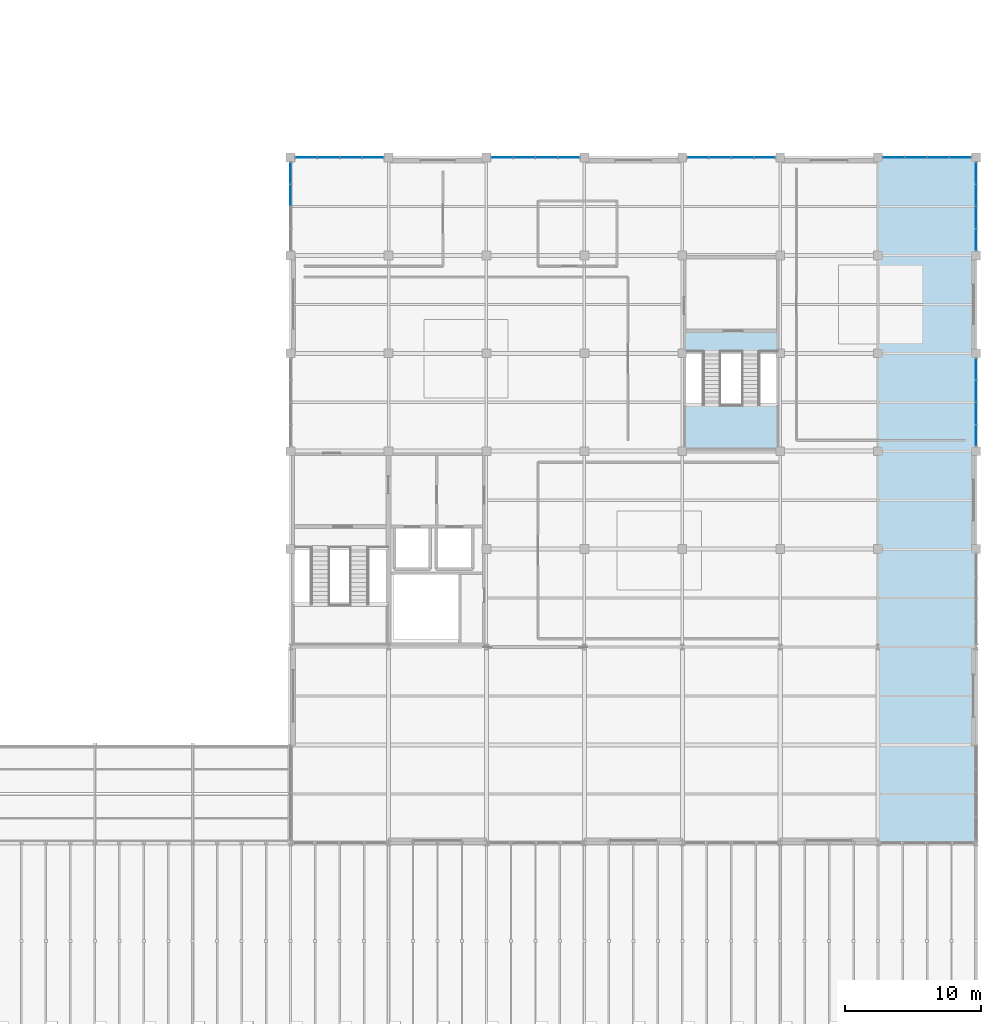
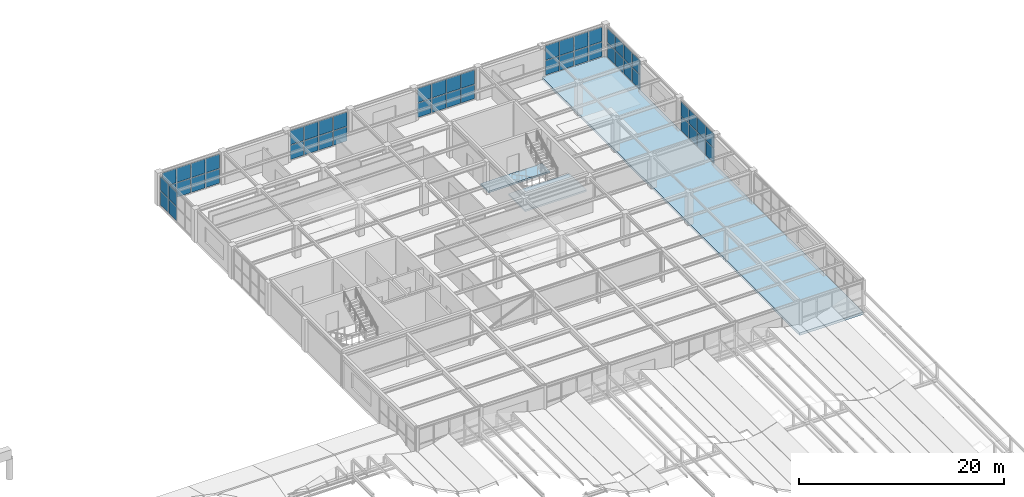
# One storey, part 61 of 83: 52 plates, 3 slabs, 8 elements without a shape of their own.
"""IFC4 building model written with IfcOpenShell, lengths in metres."""

from ifc_helpers import new_model, si_unit, direction, frame, origin, origin_2d, place, context, subcontext, project, spatial, polyline, rectangle, outline, extrude, material, layer, layer_set, type_object, element, aggregate, save


model = new_model("IFC4")

# Units and contexts
model_context = context("Model", 3, precision=1e-05, world=origin(), true_north=direction((0.0, 1.0)))
body_context = subcontext(model_context, "Body", "Model", "MODEL_VIEW")
ifc_project = project(units=[si_unit("LENGTHUNIT", "METRE"), si_unit("AREAUNIT", "SQUARE_METRE"), si_unit("VOLUMEUNIT", "CUBIC_METRE"), si_unit("PLANEANGLEUNIT", "RADIAN"), si_unit("MASSUNIT", "GRAM", prefix="KILO")], contexts=[model_context])

# Site, building, storey
site_placement = place(None, origin())
site = spatial("IfcSite", under=ifc_project, at=site_placement, CompositionType="ELEMENT")
building_placement = place(site_placement, origin())
building = spatial("IfcBuilding", under=site, at=building_placement, Name="Leyfeld Transit Interchange", CompositionType="ELEMENT")
storey_placement = place(building_placement, frame((0.0, 0.0, 5.39990234375)))
storey = spatial("IfcBuildingStorey", under=building, at=storey_placement, Name="L01", CompositionType="ELEMENT", Elevation=5.39990234375)

# Curtain wall, plates
ifc_material_1 = material(Name="Anodised aluminium EN AW-6060 T66", Category="aluminium")
curtain_wall_type = type_object("IfcCurtainWallType", Name="CW-SYS-BUS-7200", PredefinedType="NOTDEFINED", material=ifc_material_1)
curtain_wall_1_placement = place(storey_placement, origin())
curtain_wall_1 = element("IfcCurtainWall", 1, at=curtain_wall_1_placement, inside=storey, type_object=curtain_wall_type, Name="Curtain Wall CW-L01-088", PredefinedType="NOTDEFINED")
ifc_material_2 = material(Name="Laminated safety acoustic glazing", Category="glass")
ifc_layer_1 = layer(ifc_material_2, 0.048095703125, Name="Laminated safety acoustic glazing")
ifc_layer_set_1 = layer_set([ifc_layer_1], Name="Laminated safety acoustic glazing")
plate_type = type_object("IfcPlateType", Name="CW-PNL-ACU-48", PredefinedType="CURTAIN_PANEL", material=ifc_layer_set_1)
plate_1_placement = place(storey_placement, frame((137.955078125, 93.60009765625, 0.073486328125), z_axis=(0.0, 0.0, 1.0), x_axis=(1.0, 0.0, 0.0)))
plate_1 = element("IfcPlate", 2, at=plate_1_placement, type_object=plate_type, Name="Glazed Curtain Panel CW-L01-088-P01_1", PredefinedType="CURTAIN_PANEL", context=body_context, shape_type="SweptSolid", body=[
    extrude(rectangle(XDim=1.532958984375, YDim=0.048095703125, at=origin_2d()), origin(), (0.0, 0.0, 1.0), 1.6904296875),
])
plate_2_placement = place(storey_placement, frame((137.955078125, 93.60009765625, 1.836181640625), z_axis=(0.0, 0.0, 1.0), x_axis=(1.0, 0.0, 0.0)))
plate_2 = element("IfcPlate", 3, at=plate_2_placement, type_object=plate_type, Name="Glazed Curtain Panel CW-L01-088-P01_2", PredefinedType="CURTAIN_PANEL", context=body_context, shape_type="SweptSolid", body=[
    extrude(rectangle(XDim=1.532958984375, YDim=0.048095703125, at=origin_2d()), origin(), (0.0, 0.0, 1.0), 1.6904296875),
])
plate_3_placement = place(storey_placement, frame((139.578857421875, 93.60009765625, 0.073486328125), z_axis=(0.0, 0.0, 1.0), x_axis=(1.0, 0.0, 0.0)))
plate_3 = element("IfcPlate", 4, at=plate_3_placement, type_object=plate_type, Name="Glazed Curtain Panel CW-L01-088-P02_1", PredefinedType="CURTAIN_PANEL", context=body_context, shape_type="SweptSolid", body=[
    extrude(rectangle(XDim=1.570556640625, YDim=0.048095703125, at=origin_2d()), origin(), (0.0, 0.0, 1.0), 1.6904296875),
])
plate_4_placement = place(storey_placement, frame((139.578857421875, 93.60009765625, 1.836181640625), z_axis=(0.0, 0.0, 1.0), x_axis=(1.0, 0.0, 0.0)))
plate_4 = element("IfcPlate", 5, at=plate_4_placement, type_object=plate_type, Name="Glazed Curtain Panel CW-L01-088-P02_2", PredefinedType="CURTAIN_PANEL", context=body_context, shape_type="SweptSolid", body=[
    extrude(rectangle(XDim=1.570556640625, YDim=0.048095703125, at=origin_2d()), origin(), (0.0, 0.0, 1.0), 1.6904296875),
])
plate_5_placement = place(storey_placement, frame((141.22119140625, 93.60009765625, 0.073486328125), z_axis=(0.0, 0.0, 1.0), x_axis=(1.0, 0.0, 0.0)))
plate_5 = element("IfcPlate", 6, at=plate_5_placement, type_object=plate_type, Name="Glazed Curtain Panel CW-L01-088-P03_1", PredefinedType="CURTAIN_PANEL", context=body_context, shape_type="SweptSolid", body=[
    extrude(rectangle(XDim=1.570556640625, YDim=0.048095703125, at=origin_2d()), origin(), (0.0, 0.0, 1.0), 1.6904296875),
])
plate_6_placement = place(storey_placement, frame((141.22119140625, 93.60009765625, 1.836181640625), z_axis=(0.0, 0.0, 1.0), x_axis=(1.0, 0.0, 0.0)))
plate_6 = element("IfcPlate", 7, at=plate_6_placement, type_object=plate_type, Name="Glazed Curtain Panel CW-L01-088-P03_2", PredefinedType="CURTAIN_PANEL", context=body_context, shape_type="SweptSolid", body=[
    extrude(rectangle(XDim=1.570556640625, YDim=0.048095703125, at=origin_2d()), origin(), (0.0, 0.0, 1.0), 1.6904296875),
])
plate_7_placement = place(storey_placement, frame((142.844970703125, 93.60009765625, 0.073486328125), z_axis=(0.0, 0.0, 1.0), x_axis=(1.0, 0.0, 0.0)))
plate_7 = element("IfcPlate", 8, at=plate_7_placement, type_object=plate_type, Name="Glazed Curtain Panel CW-L01-088-P04_1", PredefinedType="CURTAIN_PANEL", context=body_context, shape_type="SweptSolid", body=[
    extrude(rectangle(XDim=1.532958984375, YDim=0.048095703125, at=origin_2d()), origin(), (0.0, 0.0, 1.0), 1.6904296875),
])
plate_8_placement = place(storey_placement, frame((142.844970703125, 93.60009765625, 1.836181640625), z_axis=(0.0, 0.0, 1.0), x_axis=(1.0, 0.0, 0.0)))
plate_8 = element("IfcPlate", 9, at=plate_8_placement, type_object=plate_type, Name="Glazed Curtain Panel CW-L01-088-P04_2", PredefinedType="CURTAIN_PANEL", context=body_context, shape_type="SweptSolid", body=[
    extrude(rectangle(XDim=1.532958984375, YDim=0.048095703125, at=origin_2d()), origin(), (0.0, 0.0, 1.0), 1.6904296875),
])
aggregate(curtain_wall_1, [plate_1, plate_2, plate_3, plate_4, plate_5, plate_6, plate_7, plate_8])

curtain_wall_2_placement = place(storey_placement, origin())
curtain_wall_2 = element("IfcCurtainWall", 10, at=curtain_wall_2_placement, inside=storey, type_object=curtain_wall_type, Name="Curtain Wall CW-L01-089", PredefinedType="NOTDEFINED")
plate_9_placement = place(storey_placement, frame((152.35498046875, 93.60009765625, 0.073486328125), z_axis=(0.0, 0.0, 1.0), x_axis=(1.0, 0.0, 0.0)))
plate_9 = element("IfcPlate", 11, at=plate_9_placement, type_object=plate_type, Name="Glazed Curtain Panel CW-L01-089-P01_1", PredefinedType="CURTAIN_PANEL", context=body_context, shape_type="SweptSolid", body=[
    extrude(rectangle(XDim=1.532958984375, YDim=0.048095703125, at=origin_2d()), origin(), (0.0, 0.0, 1.0), 1.6904296875),
])
plate_10_placement = place(storey_placement, frame((152.35498046875, 93.60009765625, 1.836181640625), z_axis=(0.0, 0.0, 1.0), x_axis=(1.0, 0.0, 0.0)))
plate_10 = element("IfcPlate", 12, at=plate_10_placement, type_object=plate_type, Name="Glazed Curtain Panel CW-L01-089-P01_2", PredefinedType="CURTAIN_PANEL", context=body_context, shape_type="SweptSolid", body=[
    extrude(rectangle(XDim=1.532958984375, YDim=0.048095703125, at=origin_2d()), origin(), (0.0, 0.0, 1.0), 1.6904296875),
])
plate_11_placement = place(storey_placement, frame((153.978759765625, 93.60009765625, 0.073486328125), z_axis=(0.0, 0.0, 1.0), x_axis=(1.0, 0.0, 0.0)))
plate_11 = element("IfcPlate", 13, at=plate_11_placement, type_object=plate_type, Name="Glazed Curtain Panel CW-L01-089-P02_1", PredefinedType="CURTAIN_PANEL", context=body_context, shape_type="SweptSolid", body=[
    extrude(rectangle(XDim=1.570556640625, YDim=0.048095703125, at=origin_2d()), origin(), (0.0, 0.0, 1.0), 1.6904296875),
])
plate_12_placement = place(storey_placement, frame((153.978759765625, 93.60009765625, 1.836181640625), z_axis=(0.0, 0.0, 1.0), x_axis=(1.0, 0.0, 0.0)))
plate_12 = element("IfcPlate", 14, at=plate_12_placement, type_object=plate_type, Name="Glazed Curtain Panel CW-L01-089-P02_2", PredefinedType="CURTAIN_PANEL", context=body_context, shape_type="SweptSolid", body=[
    extrude(rectangle(XDim=1.570556640625, YDim=0.048095703125, at=origin_2d()), origin(), (0.0, 0.0, 1.0), 1.6904296875),
])
plate_13_placement = place(storey_placement, frame((155.62109375, 93.60009765625, 0.073486328125), z_axis=(0.0, 0.0, 1.0), x_axis=(1.0, 0.0, 0.0)))
plate_13 = element("IfcPlate", 15, at=plate_13_placement, type_object=plate_type, Name="Glazed Curtain Panel CW-L01-089-P03_1", PredefinedType="CURTAIN_PANEL", context=body_context, shape_type="SweptSolid", body=[
    extrude(rectangle(XDim=1.570556640625, YDim=0.048095703125, at=origin_2d()), origin(), (0.0, 0.0, 1.0), 1.6904296875),
])
plate_14_placement = place(storey_placement, frame((155.62109375, 93.60009765625, 1.836181640625), z_axis=(0.0, 0.0, 1.0), x_axis=(1.0, 0.0, 0.0)))
plate_14 = element("IfcPlate", 16, at=plate_14_placement, type_object=plate_type, Name="Glazed Curtain Panel CW-L01-089-P03_2", PredefinedType="CURTAIN_PANEL", context=body_context, shape_type="SweptSolid", body=[
    extrude(rectangle(XDim=1.570556640625, YDim=0.048095703125, at=origin_2d()), origin(), (0.0, 0.0, 1.0), 1.6904296875),
])
plate_15_placement = place(storey_placement, frame((157.2451171875, 93.60009765625, 0.073486328125), z_axis=(0.0, 0.0, 1.0), x_axis=(1.0, 0.0, 0.0)))
plate_15 = element("IfcPlate", 17, at=plate_15_placement, type_object=plate_type, Name="Glazed Curtain Panel CW-L01-089-P04_1", PredefinedType="CURTAIN_PANEL", context=body_context, shape_type="SweptSolid", body=[
    extrude(rectangle(XDim=1.532958984375, YDim=0.048095703125, at=origin_2d()), origin(), (0.0, 0.0, 1.0), 1.6904296875),
])
plate_16_placement = place(storey_placement, frame((157.2451171875, 93.60009765625, 1.836181640625), z_axis=(0.0, 0.0, 1.0), x_axis=(1.0, 0.0, 0.0)))
plate_16 = element("IfcPlate", 18, at=plate_16_placement, type_object=plate_type, Name="Glazed Curtain Panel CW-L01-089-P04_2", PredefinedType="CURTAIN_PANEL", context=body_context, shape_type="SweptSolid", body=[
    extrude(rectangle(XDim=1.532958984375, YDim=0.048095703125, at=origin_2d()), origin(), (0.0, 0.0, 1.0), 1.6904296875),
])
aggregate(curtain_wall_2, [plate_9, plate_10, plate_11, plate_12, plate_13, plate_14, plate_15, plate_16])

curtain_wall_3_placement = place(storey_placement, origin())
curtain_wall_3 = element("IfcCurtainWall", 19, at=curtain_wall_3_placement, inside=storey, type_object=curtain_wall_type, Name="Curtain Wall CW-L01-090", PredefinedType="NOTDEFINED")
plate_17_placement = place(storey_placement, frame((166.7548828125, 93.60009765625, 0.073486328125), z_axis=(0.0, 0.0, 1.0), x_axis=(1.0, 0.0, 0.0)))
plate_17 = element("IfcPlate", 20, at=plate_17_placement, type_object=plate_type, Name="Glazed Curtain Panel CW-L01-090-P01_1", PredefinedType="CURTAIN_PANEL", context=body_context, shape_type="SweptSolid", body=[
    extrude(rectangle(XDim=1.532958984375, YDim=0.048095703125, at=origin_2d()), origin(), (0.0, 0.0, 1.0), 1.6904296875),
])
plate_18_placement = place(storey_placement, frame((166.7548828125, 93.60009765625, 1.836181640625), z_axis=(0.0, 0.0, 1.0), x_axis=(1.0, 0.0, 0.0)))
plate_18 = element("IfcPlate", 21, at=plate_18_placement, type_object=plate_type, Name="Glazed Curtain Panel CW-L01-090-P01_2", PredefinedType="CURTAIN_PANEL", context=body_context, shape_type="SweptSolid", body=[
    extrude(rectangle(XDim=1.532958984375, YDim=0.048095703125, at=origin_2d()), origin(), (0.0, 0.0, 1.0), 1.6904296875),
])
plate_19_placement = place(storey_placement, frame((168.378662109375, 93.60009765625, 0.073486328125), z_axis=(0.0, 0.0, 1.0), x_axis=(1.0, 0.0, 0.0)))
plate_19 = element("IfcPlate", 22, at=plate_19_placement, type_object=plate_type, Name="Glazed Curtain Panel CW-L01-090-P02_1", PredefinedType="CURTAIN_PANEL", context=body_context, shape_type="SweptSolid", body=[
    extrude(rectangle(XDim=1.570556640625, YDim=0.048095703125, at=origin_2d()), origin(), (0.0, 0.0, 1.0), 1.6904296875),
])
plate_20_placement = place(storey_placement, frame((168.378662109375, 93.60009765625, 1.836181640625), z_axis=(0.0, 0.0, 1.0), x_axis=(1.0, 0.0, 0.0)))
plate_20 = element("IfcPlate", 23, at=plate_20_placement, type_object=plate_type, Name="Glazed Curtain Panel CW-L01-090-P02_2", PredefinedType="CURTAIN_PANEL", context=body_context, shape_type="SweptSolid", body=[
    extrude(rectangle(XDim=1.570556640625, YDim=0.048095703125, at=origin_2d()), origin(), (0.0, 0.0, 1.0), 1.6904296875),
])
plate_21_placement = place(storey_placement, frame((170.021240234375, 93.60009765625, 0.073486328125), z_axis=(0.0, 0.0, 1.0), x_axis=(1.0, 0.0, 0.0)))
plate_21 = element("IfcPlate", 24, at=plate_21_placement, type_object=plate_type, Name="Glazed Curtain Panel CW-L01-090-P03_1", PredefinedType="CURTAIN_PANEL", context=body_context, shape_type="SweptSolid", body=[
    extrude(rectangle(XDim=1.570556640625, YDim=0.048095703125, at=origin_2d()), origin(), (0.0, 0.0, 1.0), 1.6904296875),
])
plate_22_placement = place(storey_placement, frame((170.021240234375, 93.60009765625, 1.836181640625), z_axis=(0.0, 0.0, 1.0), x_axis=(1.0, 0.0, 0.0)))
plate_22 = element("IfcPlate", 25, at=plate_22_placement, type_object=plate_type, Name="Glazed Curtain Panel CW-L01-090-P03_2", PredefinedType="CURTAIN_PANEL", context=body_context, shape_type="SweptSolid", body=[
    extrude(rectangle(XDim=1.570556640625, YDim=0.048095703125, at=origin_2d()), origin(), (0.0, 0.0, 1.0), 1.6904296875),
])
plate_23_placement = place(storey_placement, frame((171.64501953125, 93.60009765625, 0.073486328125), z_axis=(0.0, 0.0, 1.0), x_axis=(1.0, 0.0, 0.0)))
plate_23 = element("IfcPlate", 26, at=plate_23_placement, type_object=plate_type, Name="Glazed Curtain Panel CW-L01-090-P04_1", PredefinedType="CURTAIN_PANEL", context=body_context, shape_type="SweptSolid", body=[
    extrude(rectangle(XDim=1.532958984375, YDim=0.048095703125, at=origin_2d()), origin(), (0.0, 0.0, 1.0), 1.6904296875),
])
plate_24_placement = place(storey_placement, frame((171.64501953125, 93.60009765625, 1.836181640625), z_axis=(0.0, 0.0, 1.0), x_axis=(1.0, 0.0, 0.0)))
plate_24 = element("IfcPlate", 27, at=plate_24_placement, type_object=plate_type, Name="Glazed Curtain Panel CW-L01-090-P04_2", PredefinedType="CURTAIN_PANEL", context=body_context, shape_type="SweptSolid", body=[
    extrude(rectangle(XDim=1.532958984375, YDim=0.048095703125, at=origin_2d()), origin(), (0.0, 0.0, 1.0), 1.6904296875),
])
aggregate(curtain_wall_3, [plate_17, plate_18, plate_19, plate_20, plate_21, plate_22, plate_23, plate_24])

curtain_wall_4_placement = place(storey_placement, origin())
curtain_wall_4 = element("IfcCurtainWall", 28, at=curtain_wall_4_placement, inside=storey, type_object=curtain_wall_type, Name="Curtain Wall CW-L01-091", PredefinedType="NOTDEFINED")
plate_25_placement = place(storey_placement, frame((181.155029296875, 93.60009765625, 0.07373046875), z_axis=(0.0, 0.0, 1.0), x_axis=(1.0, 0.0, 0.0)))
plate_25 = element("IfcPlate", 29, at=plate_25_placement, type_object=plate_type, Name="Glazed Curtain Panel CW-L01-091-P01_1", PredefinedType="CURTAIN_PANEL", context=body_context, shape_type="SweptSolid", body=[
    extrude(rectangle(XDim=1.532958984375, YDim=0.048095703125, at=origin_2d()), origin(), (0.0, 0.0, 1.0), 1.715576171875),
])
plate_26_placement = place(storey_placement, frame((181.155029296875, 93.60009765625, 1.86083984375), z_axis=(0.0, 0.0, 1.0), x_axis=(1.0, 0.0, 0.0)))
plate_26 = element("IfcPlate", 30, at=plate_26_placement, type_object=plate_type, Name="Glazed Curtain Panel CW-L01-091-P01_2", PredefinedType="CURTAIN_PANEL", context=body_context, shape_type="SweptSolid", body=[
    extrude(rectangle(XDim=1.532958984375, YDim=0.048095703125, at=origin_2d()), origin(), (0.0, 0.0, 1.0), 1.715576171875),
])
plate_27_placement = place(storey_placement, frame((182.77880859375, 93.60009765625, 0.07373046875), z_axis=(0.0, 0.0, 1.0), x_axis=(1.0, 0.0, 0.0)))
plate_27 = element("IfcPlate", 31, at=plate_27_placement, type_object=plate_type, Name="Glazed Curtain Panel CW-L01-091-P02_1", PredefinedType="CURTAIN_PANEL", context=body_context, shape_type="SweptSolid", body=[
    extrude(rectangle(XDim=1.570556640625, YDim=0.048095703125, at=origin_2d()), origin(), (0.0, 0.0, 1.0), 1.715576171875),
])
plate_28_placement = place(storey_placement, frame((182.77880859375, 93.60009765625, 1.86083984375), z_axis=(0.0, 0.0, 1.0), x_axis=(1.0, 0.0, 0.0)))
plate_28 = element("IfcPlate", 32, at=plate_28_placement, type_object=plate_type, Name="Glazed Curtain Panel CW-L01-091-P02_2", PredefinedType="CURTAIN_PANEL", context=body_context, shape_type="SweptSolid", body=[
    extrude(rectangle(XDim=1.570556640625, YDim=0.048095703125, at=origin_2d()), origin(), (0.0, 0.0, 1.0), 1.715576171875),
])
plate_29_placement = place(storey_placement, frame((184.421142578125, 93.60009765625, 0.07373046875), z_axis=(0.0, 0.0, 1.0), x_axis=(1.0, 0.0, 0.0)))
plate_29 = element("IfcPlate", 33, at=plate_29_placement, type_object=plate_type, Name="Glazed Curtain Panel CW-L01-091-P03_1", PredefinedType="CURTAIN_PANEL", context=body_context, shape_type="SweptSolid", body=[
    extrude(rectangle(XDim=1.570556640625, YDim=0.048095703125, at=origin_2d()), origin(), (0.0, 0.0, 1.0), 1.715576171875),
])
plate_30_placement = place(storey_placement, frame((184.421142578125, 93.60009765625, 1.86083984375), z_axis=(0.0, 0.0, 1.0), x_axis=(1.0, 0.0, 0.0)))
plate_30 = element("IfcPlate", 34, at=plate_30_placement, type_object=plate_type, Name="Glazed Curtain Panel CW-L01-091-P03_2", PredefinedType="CURTAIN_PANEL", context=body_context, shape_type="SweptSolid", body=[
    extrude(rectangle(XDim=1.570556640625, YDim=0.048095703125, at=origin_2d()), origin(), (0.0, 0.0, 1.0), 1.715576171875),
])
plate_31_placement = place(storey_placement, frame((186.044921875, 93.60009765625, 0.07373046875), z_axis=(0.0, 0.0, 1.0), x_axis=(1.0, 0.0, 0.0)))
plate_31 = element("IfcPlate", 35, at=plate_31_placement, type_object=plate_type, Name="Glazed Curtain Panel CW-L01-091-P04_1", PredefinedType="CURTAIN_PANEL", context=body_context, shape_type="SweptSolid", body=[
    extrude(rectangle(XDim=1.532958984375, YDim=0.048095703125, at=origin_2d()), origin(), (0.0, 0.0, 1.0), 1.715576171875),
])
plate_32_placement = place(storey_placement, frame((186.044921875, 93.60009765625, 1.86083984375), z_axis=(0.0, 0.0, 1.0), x_axis=(1.0, 0.0, 0.0)))
plate_32 = element("IfcPlate", 36, at=plate_32_placement, type_object=plate_type, Name="Glazed Curtain Panel CW-L01-091-P04_2", PredefinedType="CURTAIN_PANEL", context=body_context, shape_type="SweptSolid", body=[
    extrude(rectangle(XDim=1.532958984375, YDim=0.048095703125, at=origin_2d()), origin(), (0.0, 0.0, 1.0), 1.715576171875),
])
aggregate(curtain_wall_4, [plate_25, plate_26, plate_27, plate_28, plate_29, plate_30, plate_31, plate_32])

curtain_wall_5_placement = place(storey_placement, origin())
curtain_wall_5 = element("IfcCurtainWall", 37, at=curtain_wall_5_placement, inside=storey, type_object=curtain_wall_type, Name="Curtain Wall CW-L01-092", PredefinedType="NOTDEFINED")
plate_33_placement = place(storey_placement, frame((187.199951171875, 92.445068359375, 0.07373046875), z_axis=(0.0, 0.0, 1.0), x_axis=(0.0, -1.0, 0.0)))
plate_33 = element("IfcPlate", 38, at=plate_33_placement, type_object=plate_type, Name="Glazed Curtain Panel CW-L01-092-P01_1", PredefinedType="CURTAIN_PANEL", context=body_context, shape_type="SweptSolid", body=[
    extrude(rectangle(XDim=1.532958984375, YDim=0.048095703125, at=origin_2d()), origin(), (0.0, 0.0, 1.0), 1.700439453125),
])
plate_34_placement = place(storey_placement, frame((187.199951171875, 92.445068359375, 1.84619140625), z_axis=(0.0, 0.0, 1.0), x_axis=(0.0, -1.0, 0.0)))
plate_34 = element("IfcPlate", 39, at=plate_34_placement, type_object=plate_type, Name="Glazed Curtain Panel CW-L01-092-P01_2", PredefinedType="CURTAIN_PANEL", context=body_context, shape_type="SweptSolid", body=[
    extrude(rectangle(XDim=1.532958984375, YDim=0.048095703125, at=origin_2d()), origin(), (0.0, 0.0, 1.0), 1.700439453125),
])
plate_35_placement = place(storey_placement, frame((187.199951171875, 90.8212890625, 0.07373046875), z_axis=(0.0, 0.0, 1.0), x_axis=(0.0, -1.0, 0.0)))
plate_35 = element("IfcPlate", 40, at=plate_35_placement, type_object=plate_type, Name="Glazed Curtain Panel CW-L01-092-P02_1", PredefinedType="CURTAIN_PANEL", context=body_context, shape_type="SweptSolid", body=[
    extrude(rectangle(XDim=1.570556640625, YDim=0.048095703125, at=origin_2d()), origin(), (0.0, 0.0, 1.0), 1.700439453125),
])
plate_36_placement = place(storey_placement, frame((187.199951171875, 90.8212890625, 1.84619140625), z_axis=(0.0, 0.0, 1.0), x_axis=(0.0, -1.0, 0.0)))
plate_36 = element("IfcPlate", 41, at=plate_36_placement, type_object=plate_type, Name="Glazed Curtain Panel CW-L01-092-P02_2", PredefinedType="CURTAIN_PANEL", context=body_context, shape_type="SweptSolid", body=[
    extrude(rectangle(XDim=1.570556640625, YDim=0.048095703125, at=origin_2d()), origin(), (0.0, 0.0, 1.0), 1.700439453125),
])
plate_37_placement = place(storey_placement, frame((187.199951171875, 89.1787109375, 0.07373046875), z_axis=(0.0, 0.0, 1.0), x_axis=(0.0, -1.0, 0.0)))
plate_37 = element("IfcPlate", 42, at=plate_37_placement, type_object=plate_type, Name="Glazed Curtain Panel CW-L01-092-P03_1", PredefinedType="CURTAIN_PANEL", context=body_context, shape_type="SweptSolid", body=[
    extrude(rectangle(XDim=1.570556640625, YDim=0.048095703125, at=origin_2d()), origin(), (0.0, 0.0, 1.0), 1.700439453125),
])
plate_38_placement = place(storey_placement, frame((187.199951171875, 89.1787109375, 1.84619140625), z_axis=(0.0, 0.0, 1.0), x_axis=(0.0, -1.0, 0.0)))
plate_38 = element("IfcPlate", 43, at=plate_38_placement, type_object=plate_type, Name="Glazed Curtain Panel CW-L01-092-P03_2", PredefinedType="CURTAIN_PANEL", context=body_context, shape_type="SweptSolid", body=[
    extrude(rectangle(XDim=1.570556640625, YDim=0.048095703125, at=origin_2d()), origin(), (0.0, 0.0, 1.0), 1.700439453125),
])
plate_39_placement = place(storey_placement, frame((187.199951171875, 87.554931640625, 0.07373046875), z_axis=(0.0, 0.0, 1.0), x_axis=(0.0, -1.0, 0.0)))
plate_39 = element("IfcPlate", 44, at=plate_39_placement, type_object=plate_type, Name="Glazed Curtain Panel CW-L01-092-P04_1", PredefinedType="CURTAIN_PANEL", context=body_context, shape_type="SweptSolid", body=[
    extrude(rectangle(XDim=1.532958984375, YDim=0.048095703125, at=origin_2d()), origin(), (0.0, 0.0, 1.0), 1.700439453125),
])
plate_40_placement = place(storey_placement, frame((187.199951171875, 87.554931640625, 1.84619140625), z_axis=(0.0, 0.0, 1.0), x_axis=(0.0, -1.0, 0.0)))
plate_40 = element("IfcPlate", 45, at=plate_40_placement, type_object=plate_type, Name="Glazed Curtain Panel CW-L01-092-P04_2", PredefinedType="CURTAIN_PANEL", context=body_context, shape_type="SweptSolid", body=[
    extrude(rectangle(XDim=1.532958984375, YDim=0.048095703125, at=origin_2d()), origin(), (0.0, 0.0, 1.0), 1.700439453125),
])
aggregate(curtain_wall_5, [plate_33, plate_34, plate_35, plate_36, plate_37, plate_38, plate_39, plate_40])

curtain_wall_6_placement = place(storey_placement, origin())
curtain_wall_6 = element("IfcCurtainWall", 46, at=curtain_wall_6_placement, inside=storey, type_object=curtain_wall_type, Name="Curtain Wall CW-L01-093", PredefinedType="NOTDEFINED")
plate_41_placement = place(storey_placement, frame((187.199951171875, 78.044921875, 0.07373046875), z_axis=(0.0, 0.0, 1.0), x_axis=(0.0, -1.0, 0.0)))
plate_41 = element("IfcPlate", 47, at=plate_41_placement, type_object=plate_type, Name="Glazed Curtain Panel CW-L01-093-P01_1", PredefinedType="CURTAIN_PANEL", context=body_context, shape_type="SweptSolid", body=[
    extrude(rectangle(XDim=1.532958984375, YDim=0.048095703125, at=origin_2d()), origin(), (0.0, 0.0, 1.0), 1.700439453125),
])
plate_42_placement = place(storey_placement, frame((187.199951171875, 78.044921875, 1.84619140625), z_axis=(0.0, 0.0, 1.0), x_axis=(0.0, -1.0, 0.0)))
plate_42 = element("IfcPlate", 48, at=plate_42_placement, type_object=plate_type, Name="Glazed Curtain Panel CW-L01-093-P01_2", PredefinedType="CURTAIN_PANEL", context=body_context, shape_type="SweptSolid", body=[
    extrude(rectangle(XDim=1.532958984375, YDim=0.048095703125, at=origin_2d()), origin(), (0.0, 0.0, 1.0), 1.700439453125),
])
plate_43_placement = place(storey_placement, frame((187.199951171875, 76.42138671875, 0.07373046875), z_axis=(0.0, 0.0, 1.0), x_axis=(0.0, -1.0, 0.0)))
plate_43 = element("IfcPlate", 49, at=plate_43_placement, type_object=plate_type, Name="Glazed Curtain Panel CW-L01-093-P02_1", PredefinedType="CURTAIN_PANEL", context=body_context, shape_type="SweptSolid", body=[
    extrude(rectangle(XDim=1.570556640625, YDim=0.048095703125, at=origin_2d()), origin(), (0.0, 0.0, 1.0), 1.700439453125),
])
plate_44_placement = place(storey_placement, frame((187.199951171875, 76.42138671875, 1.84619140625), z_axis=(0.0, 0.0, 1.0), x_axis=(0.0, -1.0, 0.0)))
plate_44 = element("IfcPlate", 50, at=plate_44_placement, type_object=plate_type, Name="Glazed Curtain Panel CW-L01-093-P02_2", PredefinedType="CURTAIN_PANEL", context=body_context, shape_type="SweptSolid", body=[
    extrude(rectangle(XDim=1.570556640625, YDim=0.048095703125, at=origin_2d()), origin(), (0.0, 0.0, 1.0), 1.700439453125),
])
plate_45_placement = place(storey_placement, frame((187.199951171875, 74.77880859375, 0.07373046875), z_axis=(0.0, 0.0, 1.0), x_axis=(0.0, -1.0, 0.0)))
plate_45 = element("IfcPlate", 51, at=plate_45_placement, type_object=plate_type, Name="Glazed Curtain Panel CW-L01-093-P03_1", PredefinedType="CURTAIN_PANEL", context=body_context, shape_type="SweptSolid", body=[
    extrude(rectangle(XDim=1.570556640625, YDim=0.048095703125, at=origin_2d()), origin(), (0.0, 0.0, 1.0), 1.700439453125),
])
plate_46_placement = place(storey_placement, frame((187.199951171875, 74.77880859375, 1.84619140625), z_axis=(0.0, 0.0, 1.0), x_axis=(0.0, -1.0, 0.0)))
plate_46 = element("IfcPlate", 52, at=plate_46_placement, type_object=plate_type, Name="Glazed Curtain Panel CW-L01-093-P03_2", PredefinedType="CURTAIN_PANEL", context=body_context, shape_type="SweptSolid", body=[
    extrude(rectangle(XDim=1.570556640625, YDim=0.048095703125, at=origin_2d()), origin(), (0.0, 0.0, 1.0), 1.700439453125),
])
plate_47_placement = place(storey_placement, frame((187.199951171875, 73.155029296875, 0.07373046875), z_axis=(0.0, 0.0, 1.0), x_axis=(0.0, -1.0, 0.0)))
plate_47 = element("IfcPlate", 53, at=plate_47_placement, type_object=plate_type, Name="Glazed Curtain Panel CW-L01-093-P04_1", PredefinedType="CURTAIN_PANEL", context=body_context, shape_type="SweptSolid", body=[
    extrude(rectangle(XDim=1.532958984375, YDim=0.048095703125, at=origin_2d()), origin(), (0.0, 0.0, 1.0), 1.700439453125),
])
plate_48_placement = place(storey_placement, frame((187.199951171875, 73.155029296875, 1.84619140625), z_axis=(0.0, 0.0, 1.0), x_axis=(0.0, -1.0, 0.0)))
plate_48 = element("IfcPlate", 54, at=plate_48_placement, type_object=plate_type, Name="Glazed Curtain Panel CW-L01-093-P04_2", PredefinedType="CURTAIN_PANEL", context=body_context, shape_type="SweptSolid", body=[
    extrude(rectangle(XDim=1.532958984375, YDim=0.048095703125, at=origin_2d()), origin(), (0.0, 0.0, 1.0), 1.700439453125),
])
aggregate(curtain_wall_6, [plate_41, plate_42, plate_43, plate_44, plate_45, plate_46, plate_47, plate_48])

curtain_wall_7_placement = place(storey_placement, origin())
curtain_wall_7 = element("IfcCurtainWall", 55, at=curtain_wall_7_placement, inside=storey, type_object=curtain_wall_type, Name="Curtain Wall CW-L01-102", PredefinedType="NOTDEFINED")
plate_49_placement = place(storey_placement, frame((136.800048828125, 90.8212890625, 0.07373046875), z_axis=(0.0, 0.0, 1.0), x_axis=(0.0, 1.0, 0.0)))
plate_49 = element("IfcPlate", 56, at=plate_49_placement, type_object=plate_type, Name="Glazed Curtain Panel CW-L01-102-P03_1", PredefinedType="CURTAIN_PANEL", context=body_context, shape_type="SweptSolid", body=[
    extrude(rectangle(XDim=1.570556640625, YDim=0.048095703125, at=origin_2d()), origin(), (0.0, 0.0, 1.0), 1.675537109375),
])
plate_50_placement = place(storey_placement, frame((136.800048828125, 90.8212890625, 1.82080078125), z_axis=(0.0, 0.0, 1.0), x_axis=(0.0, 1.0, 0.0)))
plate_50 = element("IfcPlate", 57, at=plate_50_placement, type_object=plate_type, Name="Glazed Curtain Panel CW-L01-102-P03_2", PredefinedType="CURTAIN_PANEL", context=body_context, shape_type="SweptSolid", body=[
    extrude(rectangle(XDim=1.570556640625, YDim=0.048095703125, at=origin_2d()), origin(), (0.0, 0.0, 1.0), 1.675537109375),
])
plate_51_placement = place(storey_placement, frame((136.800048828125, 92.445068359375, 0.07373046875), z_axis=(0.0, 0.0, 1.0), x_axis=(0.0, 1.0, 0.0)))
plate_51 = element("IfcPlate", 58, at=plate_51_placement, type_object=plate_type, Name="Glazed Curtain Panel CW-L01-102-P04_1", PredefinedType="CURTAIN_PANEL", context=body_context, shape_type="SweptSolid", body=[
    extrude(rectangle(XDim=1.532958984375, YDim=0.048095703125, at=origin_2d()), origin(), (0.0, 0.0, 1.0), 1.675537109375),
])
plate_52_placement = place(storey_placement, frame((136.800048828125, 92.445068359375, 1.82080078125), z_axis=(0.0, 0.0, 1.0), x_axis=(0.0, 1.0, 0.0)))
plate_52 = element("IfcPlate", 59, at=plate_52_placement, type_object=plate_type, Name="Glazed Curtain Panel CW-L01-102-P04_2", PredefinedType="CURTAIN_PANEL", context=body_context, shape_type="SweptSolid", body=[
    extrude(rectangle(XDim=1.532958984375, YDim=0.048095703125, at=origin_2d()), origin(), (0.0, 0.0, 1.0), 1.675537109375),
])
aggregate(curtain_wall_7, [plate_49, plate_50, plate_51, plate_52])

# Slabs
ifc_material_3 = material(Name="Concrete C35/45", Category="concrete")
ifc_layer_2 = layer(ifc_material_3, 0.300048828125, Name="Concrete C35/45")
ifc_layer_set_2 = layer_set([ifc_layer_2], Name="Concrete C35/45")
slab_type_1 = type_object("IfcSlabType", Name="SLB-FLR-300", PredefinedType="FLOOR", material=ifc_layer_set_2)
slab_1_placement = place(storey_placement, frame((0.0, 0.0, -0.2998046875)))
element("IfcSlab", 60, at=slab_1_placement, inside=storey, type_object=slab_type_1, Name="Slab V4 L01 B2", PredefinedType="FLOOR", context=body_context, shape_type="SweptSolid", body=[
    extrude(outline(polyline([(187.199951171875, 93.574951171875), (180.0, 93.574951171875), (180.0, 43.199951171875), (187.199951171875, 43.199951171875), (187.199951171875, 93.574951171875)])), origin(), (0.0, 0.0, 1.0), 0.2998046875),
])
ifc_material_4 = material(Name="Precast concrete C40/50", Category="concrete")
ifc_layer_3 = layer(ifc_material_4, 0.199951171875, Name="Precast concrete C40/50")
ifc_layer_set_3 = layer_set([ifc_layer_3], Name="Precast concrete C40/50")
slab_type_2 = type_object("IfcSlabType", Name="SLB-LND-200", PredefinedType="LANDING", material=ifc_layer_set_3)
slab_2_placement = place(storey_placement, frame((0.0, 0.0, -0.199951171875)))
element("IfcSlab", 61, at=slab_2_placement, inside=storey, type_object=slab_type_2, Name="Core K5 Stair Floor Landing L01", PredefinedType="LANDING", context=body_context, shape_type="SweptSolid", body=[
    extrude(outline(polyline([(165.739990234375, 79.300048828125), (172.659912109375, 79.300048828125), (172.659912109375, 80.844970703125), (165.739990234375, 80.844970703125), (165.739990234375, 79.300048828125)])), origin(), (0.0, 0.0, 1.0), 0.199951171875),
])

# Stair, slab
stair_type = type_object("IfcStairType", Name="STR-HT-150x300", PredefinedType="HALF_TURN_STAIR", material=ifc_material_4)
stair_placement = place(storey_placement, origin())
stair = element("IfcStair", 62, at=stair_placement, inside=storey, type_object=stair_type, Name="Exit Stair ST-05 (L01 to L02)", PredefinedType="HALF_TURN_STAIR")
slab_3_placement = place(storey_placement, frame((0.0, 0.0, 1.900146484375)))
slab_3 = element("IfcSlab", 63, at=slab_3_placement, type_object=slab_type_2, Name="Stair ST-05 L01 Half Landing", PredefinedType="LANDING", context=body_context, shape_type="SweptSolid", body=[
    extrude(outline(polyline([(165.739990234375, 72.139892578125), (172.659912109375, 72.139892578125), (172.659912109375, 75.39990234375), (165.739990234375, 75.39990234375), (165.739990234375, 72.139892578125)])), origin(), (0.0, 0.0, 1.0), 0.199951171875),
])
aggregate(stair, [slab_3])

save(model, "model.ifc")
